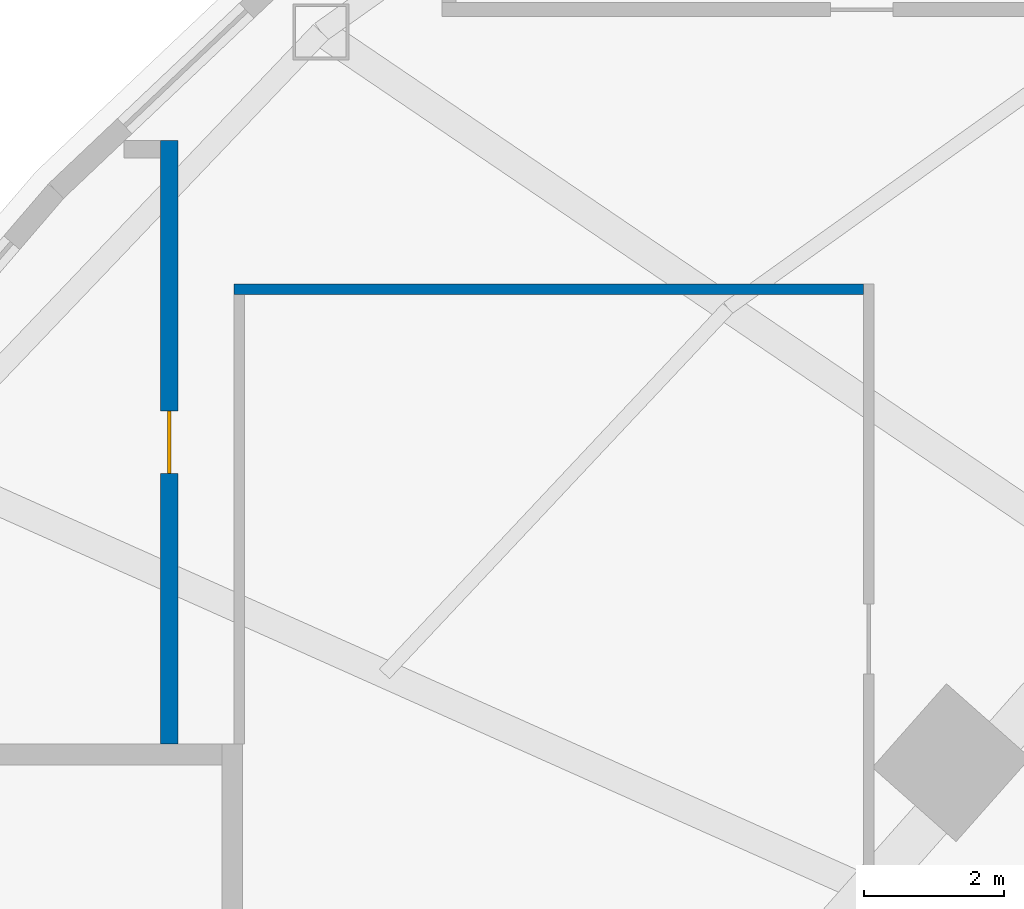
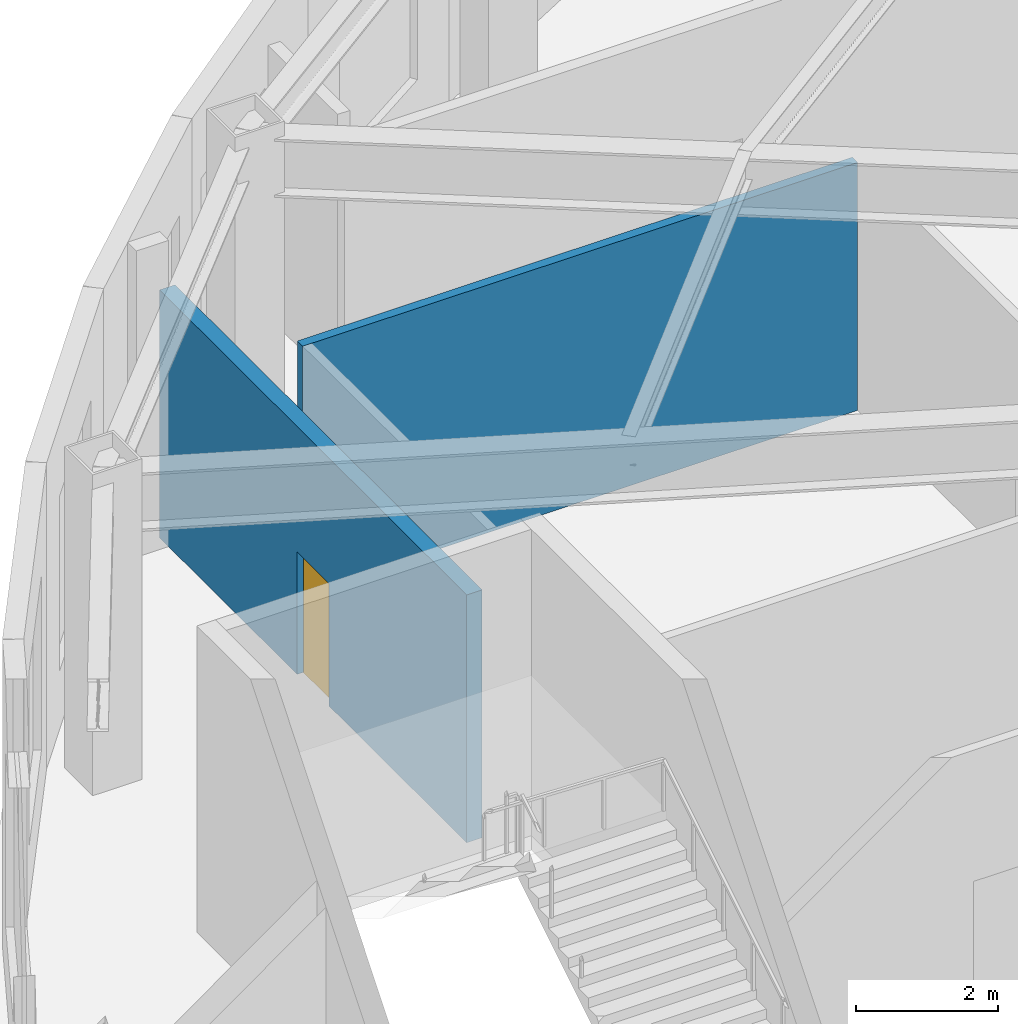
# One storey, part 14 of 69: 2 walls, 1 door, 1 opening.
"""IFC4 building model written with IfcOpenShell, lengths in metres."""

from ifc_helpers import new_model, si_unit, direction, frame, frame_2d, origin, place, context, subcontext, project, spatial, rectangle, extrude, material, layer, layer_set, type_object, element, fill, save


model = new_model("IFC4")

# Units and contexts
model_context = context("Model", 3, precision=1e-05, world=origin(), true_north=direction((0.0, 1.0)))
body_context = subcontext(model_context, "Body", "Model", "MODEL_VIEW")
ifc_project = project(units=[si_unit("LENGTHUNIT", "METRE"), si_unit("AREAUNIT", "SQUARE_METRE"), si_unit("VOLUMEUNIT", "CUBIC_METRE"), si_unit("PLANEANGLEUNIT", "RADIAN"), si_unit("MASSUNIT", "GRAM", prefix="KILO")], contexts=[model_context])

# Site, building, storey
site_placement = place(None, origin())
site = spatial("IfcSite", under=ifc_project, at=site_placement, CompositionType="ELEMENT")
building_placement = place(site_placement, origin())
building = spatial("IfcBuilding", under=site, at=building_placement, Name="Noorbagh Ring Tower", CompositionType="ELEMENT")
storey_placement = place(building_placement, frame((0.0, 0.0, 19.5)))
storey = spatial("IfcBuildingStorey", under=building, at=storey_placement, Name="L03", CompositionType="ELEMENT", Elevation=19.5)

# Wall
ifc_material_1 = material(Name="Gypsum board on steel studs", Category="steel")
ifc_layer_1 = layer(ifc_material_1, 0.14990234375)
ifc_layer_set_1 = layer_set([ifc_layer_1], Name="Gypsum board on steel studs")
wall_type_1 = type_object("IfcWallType", Name="GND-PART-150", PredefinedType="PARTITIONING", material=ifc_layer_set_1)
wall_1_placement = place(storey_placement, frame((-39.074951171875, 22.0, 0.0), z_axis=(0.0, 0.0, 1.0), x_axis=(1.0, 0.0, 0.0)))
element("IfcWall", 1, at=wall_1_placement, inside=storey, type_object=wall_type_1, Name="L03/wall/P032", PredefinedType="PARTITIONING", context=body_context, shape_type="SweptSolid", body=[
    extrude(rectangle(XDim=9.0, YDim=0.14990234375, at=frame_2d((4.5, 0.0))), origin(), (0.0, 0.0, 1.0), 4.25),
])

# Wall, opening, door
ifc_material_2 = material(Name="Reinforced blockwork", Category="masonry")
ifc_layer_2 = layer(ifc_material_2, 0.25)
ifc_layer_set_2 = layer_set([ifc_layer_2], Name="Reinforced blockwork")
wall_type_2 = type_object("IfcWallType", Name="GND-PART-250", PredefinedType="PARTITIONING", material=ifc_layer_set_2)
wall_2_placement = place(storey_placement, frame((-40.0, 24.125, 0.0), z_axis=(0.0, 0.0, 1.0), x_axis=(0.0, -1.0, 0.0)))
wall_2 = element("IfcWall", 2, at=wall_2_placement, inside=storey, type_object=wall_type_2, Name="L03/wall/P027", PredefinedType="PARTITIONING", context=body_context, shape_type="SweptSolid", body=[
    extrude(rectangle(XDim=8.625, YDim=0.25, at=frame_2d((4.3125, 0.0))), origin(), (0.0, 0.0, 1.0), 4.25),
])
opening_placement = place(wall_2_placement, frame((3.862548828125, 0.0, 0.0)))
opening = element("IfcOpeningElement", 3, at=opening_placement, cuts=wall_2, Name="Opening GD11", PredefinedType="OPENING", context=body_context, shape_type="SweptSolid", body=[
    extrude(rectangle(XDim=0.89990234375, YDim=2.10009765625, at=frame_2d((0.449951171875, 1.050048828125))), frame((0.0, 0.135009765625, 0.0), z_axis=(0.0, -1.0, 0.0), x_axis=(1.0, 0.0, 0.0)), (0.0, 0.0, 1.0), 0.27001953125),
])
ifc_material_3 = material(Name="Steel", Category="steel")
door_type = type_object("IfcDoorType", Name="GND-DOOR-HALL-FD120", OperationType="SINGLE_SWING_LEFT", PredefinedType="DOOR", material=ifc_material_3)
door_placement = place(opening_placement, origin())
door = element("IfcDoor", 4, at=door_placement, inside=storey, type_object=door_type, Name="Electrical room door", OperationType="SINGLE_SWING_RIGHT", OverallHeight=2.10009765625, OverallWidth=0.89990234375, PredefinedType="DOOR", context=body_context, shape_type="SweptSolid", body=[
    extrude(rectangle(XDim=0.89990234375, YDim=2.10009765625, at=frame_2d((0.449951171875, 1.050048828125))), frame((0.0, 0.02490234375, 0.0), z_axis=(0.0, -1.0, 0.0), x_axis=(1.0, 0.0, 0.0)), (0.0, 0.0, 1.0), 0.050048828125),
])
fill(opening, door)

save(model, "model.ifc")
